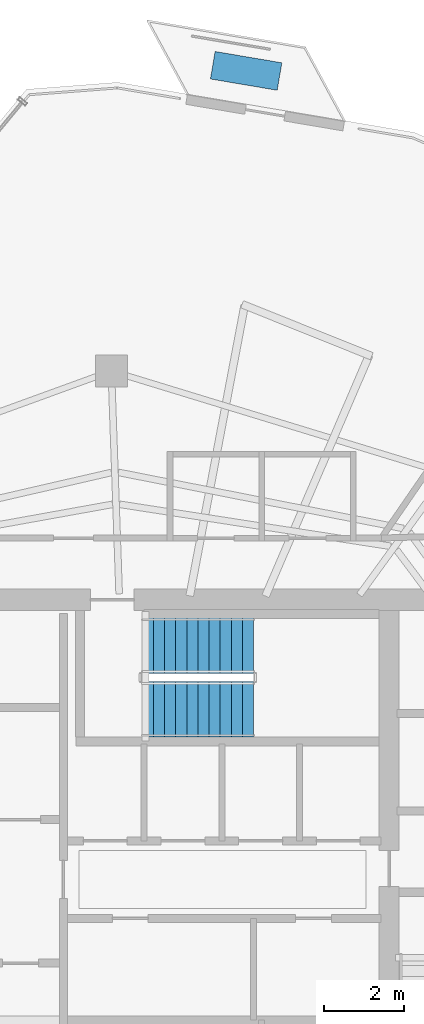
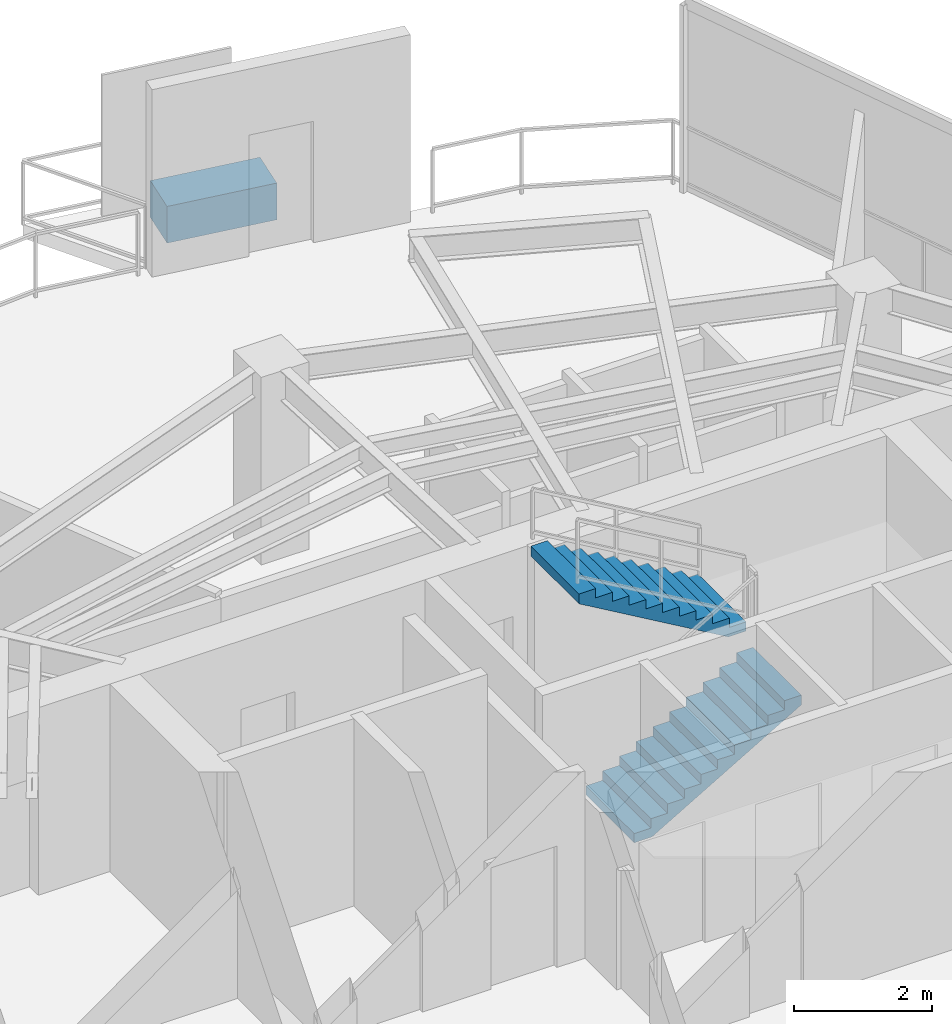
# One storey, part 17 of 19: 2 stair flights, 1 discrete accessory, 1 element without a shape of its own.
"""IFC4 building model written with IfcOpenShell, lengths in metres."""

from ifc_helpers import new_model, si_unit, direction, frame, origin, origin_2d, place, context, subcontext, project, spatial, polyline, rectangle, outline, extrude, material, type_object, element, aggregate, save


model = new_model("IFC4")

# Units and contexts
model_context = context("Model", 3, precision=1e-05, world=origin(), true_north=direction((0.0, 1.0)))
body_context = subcontext(model_context, "Body", "Model", "MODEL_VIEW")
ifc_project = project(units=[si_unit("LENGTHUNIT", "METRE"), si_unit("AREAUNIT", "SQUARE_METRE"), si_unit("VOLUMEUNIT", "CUBIC_METRE"), si_unit("PLANEANGLEUNIT", "RADIAN"), si_unit("MASSUNIT", "GRAM", prefix="KILO")], contexts=[model_context])

# Site, building, storey
site_placement = place(None, origin())
site = spatial("IfcSite", under=ifc_project, at=site_placement, CompositionType="ELEMENT")
building_placement = place(site_placement, origin())
building = spatial("IfcBuilding", under=site, at=building_placement, Name="Qarnah Convention Tower", CompositionType="ELEMENT")
storey_placement = place(building_placement, frame((0.0, 0.0, 257.10009765625)))
storey = spatial("IfcBuildingStorey", under=building, at=storey_placement, Name="L69", CompositionType="ELEMENT", Elevation=257.10009765625)

# Stair, stair flights
ifc_material_1 = material(Name="Concrete C50/60", Category="concrete")
stair_type = type_object("IfcStairType", Name="STR-OFF", PredefinedType="HALF_TURN_STAIR", material=ifc_material_1)
stair_placement = place(storey_placement, origin())
stair = element("IfcStair", 1, at=stair_placement, inside=storey, type_object=stair_type, Name="L69 Core exit stair ST-3", PredefinedType="HALF_TURN_STAIR")
stair_flight_type = type_object("IfcStairFlightType", Name="FLT-OFF", PredefinedType="STRAIGHT", material=ifc_material_1)
stair_flight_1_placement = place(storey_placement, frame((37.5, 31.449951171875, 0.0), z_axis=(0.0, 0.0, 1.0), x_axis=(1.0, 0.0, 0.0)))
stair_flight_1 = element("IfcStairFlight", 2, at=stair_flight_1_placement, type_object=stair_flight_type, Name="ST-3 flight 1", NumberOfRisers=11, NumberOfTreads=10, PredefinedType="STRAIGHT", RiserHeight=0.163636364, TreadLength=0.28, context=body_context, shape_type="SweptSolid", body=[
    extrude(outline(polyline([(0.0, 0.0), (0.0, 0.16357421875), (0.280029296875, 0.16357421875), (0.280029296875, 0.327392578125), (0.56005859375, 0.327392578125), (0.56005859375, 0.490966796875), (0.840087890625, 0.490966796875), (0.840087890625, 0.654541015625), (1.1201171875, 0.654541015625), (1.1201171875, 0.818115234375), (1.39990234375, 0.818115234375), (1.39990234375, 0.98193359375), (1.679931640625, 0.98193359375), (1.679931640625, 1.1455078125), (1.9599609375, 1.1455078125), (1.9599609375, 1.30908203125), (2.239990234375, 1.30908203125), (2.239990234375, 1.47265625), (2.52001953125, 1.47265625), (2.52001953125, 1.636474609375), (2.800048828125, 1.636474609375), (2.800048828125, 1.800048828125), (2.800048828125, 1.462646484375), (0.297119140625, 0.0), (0.0, 0.0)])), frame((0.0, 0.699951171875, 0.0), z_axis=(0.0, -1.0, 0.0), x_axis=(1.0, 0.0, 0.0)), (0.0, 0.0, 1.0), 1.39990234375),
])
stair_flight_2_placement = place(storey_placement, frame((40.300048828125, 33.050048828125, 1.7998046875), z_axis=(0.0, 0.0, 1.0), x_axis=(-1.0, 0.0, 0.0)))
stair_flight_2 = element("IfcStairFlight", 3, at=stair_flight_2_placement, type_object=stair_flight_type, Name="ST-3 flight 2", NumberOfRisers=11, NumberOfTreads=10, PredefinedType="STRAIGHT", RiserHeight=0.163636364, TreadLength=0.28, context=body_context, shape_type="SweptSolid", body=[
    extrude(outline(polyline([(0.0, 0.0), (0.0, 0.16357421875), (0.280029296875, 0.16357421875), (0.280029296875, 0.327392578125), (0.56005859375, 0.327392578125), (0.56005859375, 0.490966796875), (0.840087890625, 0.490966796875), (0.840087890625, 0.654541015625), (1.1201171875, 0.654541015625), (1.1201171875, 0.818115234375), (1.39990234375, 0.818115234375), (1.39990234375, 0.98193359375), (1.679931640625, 0.98193359375), (1.679931640625, 1.1455078125), (1.9599609375, 1.1455078125), (1.9599609375, 1.30908203125), (2.239990234375, 1.30908203125), (2.239990234375, 1.47265625), (2.52001953125, 1.47265625), (2.52001953125, 1.636474609375), (2.800048828125, 1.636474609375), (2.800048828125, 1.800048828125), (2.800048828125, 1.462646484375), (0.297119140625, 0.0), (0.0, 0.0)])), frame((0.0, 0.699951171875, 0.0), z_axis=(0.0, -1.0, 0.0), x_axis=(1.0, 0.0, 0.0)), (0.0, 0.0, 1.0), 1.39990234375),
])
aggregate(stair, [stair_flight_1, stair_flight_2])

# Discrete accessory
ifc_material_2 = material(Name="Precast concrete C45/55", Category="concrete")
discrete_accessory_type = type_object("IfcDiscreteAccessoryType", Name="ACC-PLANTER-900", PredefinedType="USERDEFINED", material=ifc_material_2)
discrete_accessory_placement = place(storey_placement, frame((40.111083984375, 47.47802734375, 0.0), z_axis=(0.0, 0.0, 1.0), x_axis=(-0.985996037071, 0.166768746716, 0.0)))
element("IfcDiscreteAccessory", 4, at=discrete_accessory_placement, inside=storey, type_object=discrete_accessory_type, Name="L69 irrigated desert balcony PLANTER BAL-L69-C1", ObjectType="PLANTER", PredefinedType="USERDEFINED", context=body_context, shape_type="SweptSolid", body=[
    extrude(rectangle(XDim=1.699951171875, YDim=0.699951171875, at=origin_2d()), origin(), (0.0, 0.0, 1.0), 0.64990234375),
])

save(model, "model.ifc")
